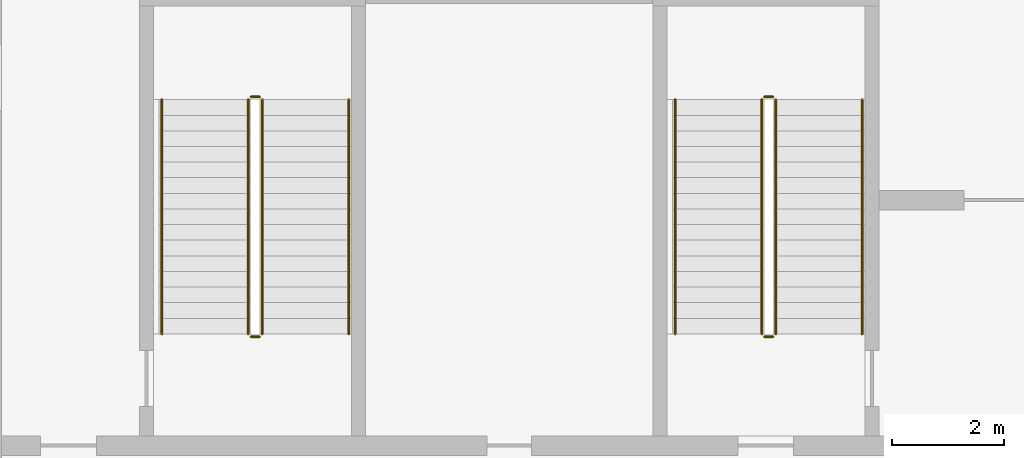
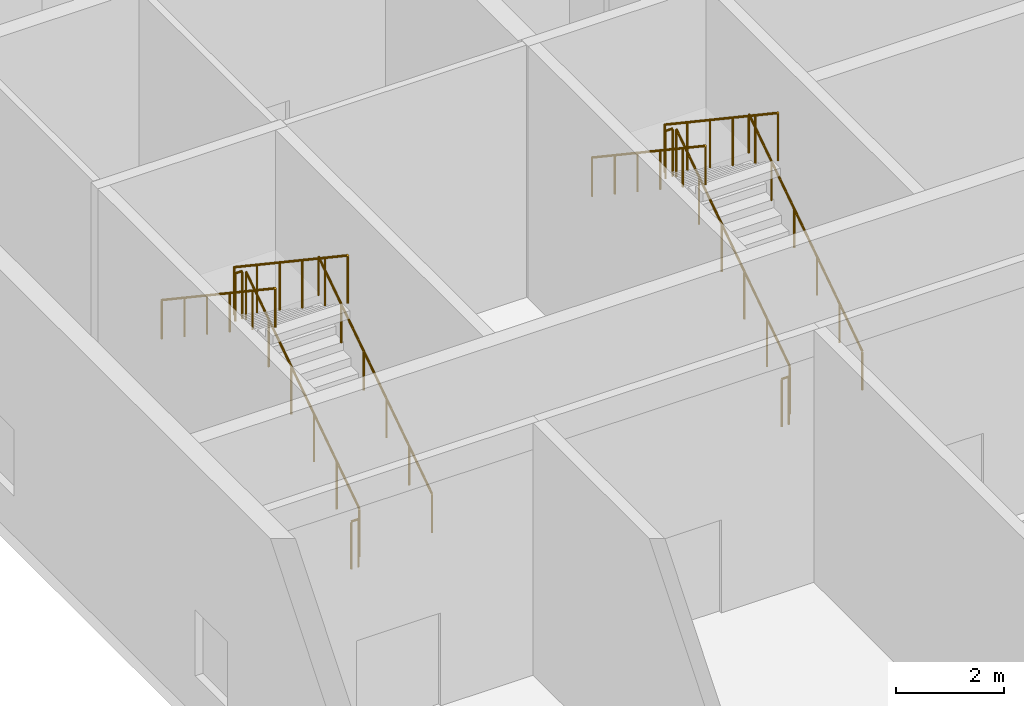
# One storey, part 16 of 17: 12 railings.
"""IFC4 building model written with IfcOpenShell, lengths in metres."""

import ifcopenshell
import ifcopenshell.guid

model = None  # the IFC model being written
_history = None  # IfcOwnerHistory: only IFC2X3 demands one
_inside = {}  # id of a spatial element -> (the spatial element, [elements in it])
_under = {}  # id of a project, library or spatial element -> (it, [spatial elements below it])
_declared = {}  # id of a project -> (the project, [libraries it declares])
_typed = {}  # id of a type object -> (the type object, [elements of that type])
_made_of = {}  # id of a material, layer set ... -> (it, [elements and type objects made of it])


def new_model(schema):
    """Start an empty IFC model of exactly this schema.

    Asked for "IFC4X3", IfcOpenShell would pick the latest addendum, in which some entities
    have other attributes; the version numbers below select the first issue.
    IFC2X3 requires an IfcOwnerHistory on every rooted entity: one is made here for all.
    """
    global model, _history
    if schema == "IFC4X3":
        model = ifcopenshell.file(schema_version=(4, 3, 0, 0))
    else:
        model = ifcopenshell.file(schema=schema)
    _inside.clear()
    _under.clear()
    _declared.clear()
    _typed.clear()
    _made_of.clear()
    _history = None
    if model.schema == "IFC2X3":
        org = make("IfcOrganization", Name="unknown")
        user = make(
            "IfcPersonAndOrganization",
            ThePerson=make("IfcPerson", FamilyName="unknown"),
            TheOrganization=org,
        )
        app = make(
            "IfcApplication",
            ApplicationDeveloper=org,
            Version="unknown",
            ApplicationFullName="unknown",
            ApplicationIdentifier="unknown",
        )
        _history = make(
            "IfcOwnerHistory",
            OwningUser=user,
            OwningApplication=app,
            ChangeAction="ADDED",
            CreationDate=0,
        )
    return model


def make(cls, **values):
    """One entity of the class cls with the attributes given. An attribute that is None is left unset."""
    return model.create_entity(
        cls, **{name: value for name, value in values.items() if value is not None}
    )


def rooted(cls, **values):
    """An entity with a GlobalId (a new one), such as an element, a storey or a relation."""
    return make(cls, GlobalId=ifcopenshell.guid.new(), OwnerHistory=_history, **values)


def si_unit(unit_type, name, prefix=None):
    """IfcSIUnit, for example si_unit("LENGTHUNIT", "METRE", prefix="MILLI")."""
    return make("IfcSIUnit", UnitType=unit_type, Prefix=prefix, Name=name)


def assignment(units):
    """IfcUnitAssignment: the units of a project."""
    return None if units is None else make("IfcUnitAssignment", Units=units)


def point(xyz):
    """IfcCartesianPoint."""
    return None if xyz is None else make("IfcCartesianPoint", Coordinates=xyz)


def direction(xyz):
    """IfcDirection."""
    return None if xyz is None else make("IfcDirection", DirectionRatios=xyz)


def frame(location, z_axis=None, x_axis=None):
    """IfcAxis2Placement3D, a coordinate frame: its origin and axes. An axis left out is left unset."""
    return make(
        "IfcAxis2Placement3D",
        Location=point(location),
        Axis=direction(z_axis),
        RefDirection=direction(x_axis),
    )


def frame_2d(location, x_axis=None):
    """IfcAxis2Placement2D, a coordinate frame in the plane: its origin and x axis."""
    return make(
        "IfcAxis2Placement2D", Location=point(location), RefDirection=direction(x_axis)
    )


def origin():
    """The frame at (0, 0, 0) with its axes left unset."""
    return frame((0.0, 0.0, 0.0))


def origin_2d():
    """The frame at (0, 0) in the plane with its x axis left unset."""
    return frame_2d((0.0, 0.0))


def place(relative_to, where):
    """IfcLocalPlacement: puts the frame where relative to a parent placement (None: the world)."""
    return make(
        "IfcLocalPlacement", PlacementRelTo=relative_to, RelativePlacement=where
    )


def context(
    kind, dimensions, precision=None, world=None, true_north=None, identifier=None
):
    """IfcGeometricRepresentationContext, for example the 3D "Model" context."""
    return make(
        "IfcGeometricRepresentationContext",
        ContextIdentifier=identifier,
        ContextType=kind,
        CoordinateSpaceDimension=dimensions,
        Precision=precision,
        WorldCoordinateSystem=world,
        TrueNorth=true_north,
    )


def subcontext(parent, identifier, kind, view, scale=None):
    """IfcGeometricRepresentationSubContext, for example "Body" below "Model"."""
    return make(
        "IfcGeometricRepresentationSubContext",
        ContextIdentifier=identifier,
        ContextType=kind,
        ParentContext=parent,
        TargetScale=scale,
        TargetView=view,
    )


def project(units=None, contexts=None):
    """IfcProject with its units and contexts."""
    return rooted(
        "IfcProject",
        Name="project",
        RepresentationContexts=contexts,
        UnitsInContext=assignment(units),
    )


def spatial(cls, under=None, at=None, **own):
    """A site, building, storey or space (cls), placed at a placement, below another one or the project."""
    s = rooted(cls, ObjectPlacement=at, **own)
    if under is not None:
        _under.setdefault(under.id(), (under, []))[1].append(s)
    return s


def profile(cls, at=None, kind="AREA", **sizes):
    """A parametric profile (cls). Its sizes go by their IFC names, for example OverallWidth=200.0."""
    return make(cls, ProfileType=kind, Position=at, **sizes)


def circle(**sizes):
    """IfcCircleProfileDef."""
    return profile("IfcCircleProfileDef", **sizes)


def extrude(swept, where, along, depth):
    """IfcExtrudedAreaSolid: the profile swept, set in the frame where, extruded along a direction by depth."""
    return make(
        "IfcExtrudedAreaSolid",
        SweptArea=swept,
        Position=where,
        ExtrudedDirection=direction(along),
        Depth=depth,
    )


def shape(context_of_items, identifier, shape_type, items):
    """IfcShapeRepresentation: the items that make up one representation, for example the "Body"."""
    return make(
        "IfcShapeRepresentation",
        ContextOfItems=context_of_items,
        RepresentationIdentifier=identifier,
        RepresentationType=shape_type,
        Items=items,
    )


def material(Name=None, Category=None):
    """IfcMaterial."""
    return make("IfcMaterial", Name=Name, Category=Category)


def made_of(thing, what):
    """Note that an element or type object is made of a material, layer set ...; save() writes the relation."""
    if what is not None:
        _made_of.setdefault(what.id(), (what, []))[1].append(thing)
    return thing


def type_object(cls, material=None, **own):
    """A type object (cls), such as IfcWallType, which elements share."""
    return made_of(rooted(cls, **own), material)


def element(
    cls,
    number,
    at=None,
    inside=None,
    cuts=None,
    type_object=None,
    material=None,
    context=None,
    identifier="Body",
    shape_type=None,
    held_by="IfcProductDefinitionShape",
    body=None,
    shapes=None,
    **own,
):
    """One element of the class cls, such as IfcWall. Its Tag is "e" and its number.

    at: its placement. inside: the storey or other place that contains it. cuts: it is an
    opening in that element (IfcRelVoidsElement). A single representation is given by context,
    identifier, shape_type and body (its items); several are given by shapes. held_by: the class
    of the entity that holds the representations. save() writes the other relations.
    """
    e = rooted(cls, Tag="e%d" % number, ObjectPlacement=at, **own)
    if body is not None:
        shapes = [shape(context, identifier, shape_type, body)]
    if shapes is not None:
        e.Representation = make(held_by, Representations=shapes)
    if inside is not None:
        _inside.setdefault(inside.id(), (inside, []))[1].append(e)
    if cuts is not None:
        rooted(
            "IfcRelVoidsElement", RelatingBuildingElement=cuts, RelatedOpeningElement=e
        )
    if type_object is not None:
        _typed.setdefault(type_object.id(), (type_object, []))[1].append(e)
    return made_of(e, material)


def aggregate(whole, parts):
    """IfcRelAggregates: a whole, such as a stair, and the parts it consists of."""
    return rooted("IfcRelAggregates", RelatingObject=whole, RelatedObjects=parts)


def save(model, path):
    """Write the relations noted so far, then the file.

    IfcRelAggregates (storeys below a building ...), IfcRelContainedInSpatialStructure (elements
    in a storey), IfcRelDefinesByType, IfcRelAssociatesMaterial and IfcRelDeclares: one each for
    every whole, place, type object, material and project.
    """
    for whole, parts in _under.values():
        aggregate(whole, parts)
    for where, things in _inside.values():
        rooted(
            "IfcRelContainedInSpatialStructure",
            RelatedElements=things,
            RelatingStructure=where,
        )
    for kind, things in _typed.values():
        rooted("IfcRelDefinesByType", RelatedObjects=things, RelatingType=kind)
    for what, things in _made_of.values():
        rooted("IfcRelAssociatesMaterial", RelatedObjects=things, RelatingMaterial=what)
    for by, libraries in _declared.values():
        rooted("IfcRelDeclares", RelatingContext=by, RelatedDefinitions=libraries)
    model.write(path)


model = new_model("IFC4")

# Units and contexts
model_context = context("Model", 3, precision=1e-05, world=origin(), true_north=direction((0.0, 1.0)))
body_context = subcontext(model_context, "Body", "Model", "MODEL_VIEW")
ifc_project = project(units=[si_unit("LENGTHUNIT", "METRE"), si_unit("AREAUNIT", "SQUARE_METRE"), si_unit("VOLUMEUNIT", "CUBIC_METRE"), si_unit("PLANEANGLEUNIT", "RADIAN"), si_unit("MASSUNIT", "GRAM", prefix="KILO")], contexts=[model_context])

# Site, building, storey
site_placement = place(None, origin())
site = spatial("IfcSite", under=ifc_project, at=site_placement, CompositionType="ELEMENT")
building_placement = place(site_placement, origin())
building = spatial("IfcBuilding", under=site, at=building_placement, Name="Poui Terraces", CompositionType="ELEMENT")
storey_placement = place(building_placement, frame((0.0, 0.0, 261.0)))
storey = spatial("IfcBuildingStorey", under=building, at=storey_placement, Name="L73", CompositionType="ELEMENT", Elevation=261.0)

# Railings
ifc_material_1 = material(Name="Galvanised steel balustrade", Category="steel")
railing_type_1 = type_object("IfcRailingType", Name="STAIR GUARD 1100", PredefinedType="GUARDRAIL", material=ifc_material_1)
railing_1_placement = place(storey_placement, frame((32.074951171875, 16.60009765625, 0.1875)))
element("IfcRailing", 1, at=railing_1_placement, inside=storey, type_object=railing_type_1, Name="L73 ST-CW stair guard 1", PredefinedType="GUARDRAIL", context=body_context, shape_type="SweptSolid", body=[
    extrude(circle(Radius=0.02392578125, at=origin_2d()), frame((0.0, 0.0, 1.076171875), z_axis=(0.0, 0.830904186295, 0.556415522067), x_axis=(-1.0, 0.0, 0.0)), (0.0, 0.0, 1.0), 5.0546875),
    extrude(circle(Radius=0.02099609375, at=origin_2d()), origin(), (0.0, 0.0, 1.0), 1.052001953125),
    extrude(circle(Radius=0.02099609375, at=origin_2d()), frame((0.0, 0.840087890625, 0.5625)), (0.0, 0.0, 1.0), 1.052001953125),
    extrude(circle(Radius=0.02099609375, at=origin_2d()), frame((0.0, 1.679931640625, 1.125)), (0.0, 0.0, 1.0), 1.052001953125),
    extrude(circle(Radius=0.02099609375, at=origin_2d()), frame((0.0, 2.52001953125, 1.6875)), (0.0, 0.0, 1.0), 1.052001953125),
    extrude(circle(Radius=0.02099609375, at=origin_2d()), frame((0.0, 3.35986328125, 2.25)), (0.0, 0.0, 1.0), 1.052001953125),
    extrude(circle(Radius=0.02099609375, at=origin_2d()), frame((0.0, 4.199951171875, 2.8125)), (0.0, 0.0, 1.0), 1.052001953125),
])
railing_2_placement = place(storey_placement, frame((32.02490234375, 20.85009765625, 3.0)))
element("IfcRailing", 2, at=railing_2_placement, inside=storey, type_object=railing_type_1, Name="L73 ST-CW stair guard 2", PredefinedType="GUARDRAIL", context=body_context, shape_type="SweptSolid", body=[
    extrude(circle(Radius=0.02392578125, at=origin_2d()), frame((0.0, 0.0, 1.076171875), z_axis=(-1.0, 0.0, 0.0), x_axis=(0.0, -1.0, 0.0)), (0.0, 0.0, 1.0), 0.14990234375),
    extrude(circle(Radius=0.02099609375, at=origin_2d()), origin(), (0.0, 0.0, 1.0), 1.052001953125),
    extrude(circle(Radius=0.02099609375, at=origin_2d()), frame((-0.14990234375, 0.0, 0.0)), (0.0, 0.0, 1.0), 1.052001953125),
])
railing_3_placement = place(storey_placement, frame((31.824951171875, 20.800048828125, 3.1875)))
element("IfcRailing", 3, at=railing_3_placement, inside=storey, type_object=railing_type_1, Name="L73 ST-CW stair guard 3", PredefinedType="GUARDRAIL", context=body_context, shape_type="SweptSolid", body=[
    extrude(circle(Radius=0.02392578125, at=origin_2d()), frame((0.0, 0.0, 1.076171875), z_axis=(0.0, -0.830904186295, 0.556415522067), x_axis=(1.0, 0.0, 0.0)), (0.0, 0.0, 1.0), 5.0546875),
    extrude(circle(Radius=0.02099609375, at=origin_2d()), origin(), (0.0, 0.0, 1.0), 1.052001953125),
    extrude(circle(Radius=0.02099609375, at=origin_2d()), frame((0.0, -0.840087890625, 0.5625)), (0.0, 0.0, 1.0), 1.052001953125),
    extrude(circle(Radius=0.02099609375, at=origin_2d()), frame((0.0, -1.679931640625, 1.125)), (0.0, 0.0, 1.0), 1.052001953125),
    extrude(circle(Radius=0.02099609375, at=origin_2d()), frame((0.0, -2.52001953125, 1.6875)), (0.0, 0.0, 1.0), 1.052001953125),
    extrude(circle(Radius=0.02099609375, at=origin_2d()), frame((0.0, -3.35986328125, 2.25)), (0.0, 0.0, 1.0), 1.052001953125),
    extrude(circle(Radius=0.02099609375, at=origin_2d()), frame((0.0, -4.199951171875, 2.8125)), (0.0, 0.0, 1.0), 1.052001953125),
])
railing_4_placement = place(storey_placement, frame((32.02490234375, 16.550048828125, 0.0)))
element("IfcRailing", 4, at=railing_4_placement, inside=storey, type_object=railing_type_1, Name="L73 ST-CW stair guard 4", PredefinedType="GUARDRAIL", context=body_context, shape_type="SweptSolid", body=[
    extrude(circle(Radius=0.02392578125, at=origin_2d()), frame((0.0, 0.0, 1.076171875), z_axis=(-1.0, 0.0, 0.0), x_axis=(0.0, -1.0, 0.0)), (0.0, 0.0, 1.0), 0.14990234375),
    extrude(circle(Radius=0.02099609375, at=origin_2d()), origin(), (0.0, 0.0, 1.0), 1.052001953125),
    extrude(circle(Radius=0.02099609375, at=origin_2d()), frame((-0.14990234375, 0.0, 0.0)), (0.0, 0.0, 1.0), 1.052001953125),
])
railing_5_placement = place(storey_placement, frame((22.875, 16.60009765625, 0.1875)))
element("IfcRailing", 5, at=railing_5_placement, inside=storey, type_object=railing_type_1, Name="L73 ST-W stair guard 1", PredefinedType="GUARDRAIL", context=body_context, shape_type="SweptSolid", body=[
    extrude(circle(Radius=0.02392578125, at=origin_2d()), frame((0.0, 0.0, 1.076171875), z_axis=(0.0, 0.830904186295, 0.556415522067), x_axis=(-1.0, 0.0, 0.0)), (0.0, 0.0, 1.0), 5.0546875),
    extrude(circle(Radius=0.02099609375, at=origin_2d()), origin(), (0.0, 0.0, 1.0), 1.052001953125),
    extrude(circle(Radius=0.02099609375, at=origin_2d()), frame((0.0, 0.840087890625, 0.5625)), (0.0, 0.0, 1.0), 1.052001953125),
    extrude(circle(Radius=0.02099609375, at=origin_2d()), frame((0.0, 1.679931640625, 1.125)), (0.0, 0.0, 1.0), 1.052001953125),
    extrude(circle(Radius=0.02099609375, at=origin_2d()), frame((0.0, 2.52001953125, 1.6875)), (0.0, 0.0, 1.0), 1.052001953125),
    extrude(circle(Radius=0.02099609375, at=origin_2d()), frame((0.0, 3.35986328125, 2.25)), (0.0, 0.0, 1.0), 1.052001953125),
    extrude(circle(Radius=0.02099609375, at=origin_2d()), frame((0.0, 4.199951171875, 2.8125)), (0.0, 0.0, 1.0), 1.052001953125),
])
railing_6_placement = place(storey_placement, frame((22.824951171875, 20.85009765625, 3.0)))
element("IfcRailing", 6, at=railing_6_placement, inside=storey, type_object=railing_type_1, Name="L73 ST-W stair guard 2", PredefinedType="GUARDRAIL", context=body_context, shape_type="SweptSolid", body=[
    extrude(circle(Radius=0.02392578125, at=origin_2d()), frame((0.0, 0.0, 1.076171875), z_axis=(-1.0, 0.0, 0.0), x_axis=(0.0, -1.0, 0.0)), (0.0, 0.0, 1.0), 0.14990234375),
    extrude(circle(Radius=0.02099609375, at=origin_2d()), origin(), (0.0, 0.0, 1.0), 1.052001953125),
    extrude(circle(Radius=0.02099609375, at=origin_2d()), frame((-0.14990234375, 0.0, 0.0)), (0.0, 0.0, 1.0), 1.052001953125),
])
railing_7_placement = place(storey_placement, frame((22.625, 20.800048828125, 3.1875)))
element("IfcRailing", 7, at=railing_7_placement, inside=storey, type_object=railing_type_1, Name="L73 ST-W stair guard 3", PredefinedType="GUARDRAIL", context=body_context, shape_type="SweptSolid", body=[
    extrude(circle(Radius=0.02392578125, at=origin_2d()), frame((0.0, 0.0, 1.076171875), z_axis=(0.0, -0.830904186295, 0.556415522067), x_axis=(1.0, 0.0, 0.0)), (0.0, 0.0, 1.0), 5.0546875),
    extrude(circle(Radius=0.02099609375, at=origin_2d()), origin(), (0.0, 0.0, 1.0), 1.052001953125),
    extrude(circle(Radius=0.02099609375, at=origin_2d()), frame((0.0, -0.840087890625, 0.5625)), (0.0, 0.0, 1.0), 1.052001953125),
    extrude(circle(Radius=0.02099609375, at=origin_2d()), frame((0.0, -1.679931640625, 1.125)), (0.0, 0.0, 1.0), 1.052001953125),
    extrude(circle(Radius=0.02099609375, at=origin_2d()), frame((0.0, -2.52001953125, 1.6875)), (0.0, 0.0, 1.0), 1.052001953125),
    extrude(circle(Radius=0.02099609375, at=origin_2d()), frame((0.0, -3.35986328125, 2.25)), (0.0, 0.0, 1.0), 1.052001953125),
    extrude(circle(Radius=0.02099609375, at=origin_2d()), frame((0.0, -4.199951171875, 2.8125)), (0.0, 0.0, 1.0), 1.052001953125),
])
railing_8_placement = place(storey_placement, frame((22.824951171875, 16.550048828125, 0.0)))
element("IfcRailing", 8, at=railing_8_placement, inside=storey, type_object=railing_type_1, Name="L73 ST-W stair guard 4", PredefinedType="GUARDRAIL", context=body_context, shape_type="SweptSolid", body=[
    extrude(circle(Radius=0.02392578125, at=origin_2d()), frame((0.0, 0.0, 1.076171875), z_axis=(-1.0, 0.0, 0.0), x_axis=(0.0, -1.0, 0.0)), (0.0, 0.0, 1.0), 0.14990234375),
    extrude(circle(Radius=0.02099609375, at=origin_2d()), origin(), (0.0, 0.0, 1.0), 1.052001953125),
    extrude(circle(Radius=0.02099609375, at=origin_2d()), frame((-0.14990234375, 0.0, 0.0)), (0.0, 0.0, 1.0), 1.052001953125),
])
ifc_material_2 = material(Name="Stainless steel handrail", Category="steel")
railing_type_2 = type_object("IfcRailingType", Name="STAIR HANDRAIL 900", PredefinedType="HANDRAIL", material=ifc_material_2)
railing_9_placement = place(storey_placement, frame((33.625, 16.60009765625, 0.1875)))
element("IfcRailing", 9, at=railing_9_placement, inside=storey, type_object=railing_type_2, Name="L73 ST-CW stair handrail 1", PredefinedType="HANDRAIL", context=body_context, shape_type="SweptSolid", body=[
    extrude(circle(Radius=0.02392578125, at=origin_2d()), frame((0.0, 0.0, 0.8759765625), z_axis=(0.0, 0.830904186295, 0.556415522067), x_axis=(-1.0, 0.0, 0.0)), (0.0, 0.0, 1.0), 5.0546875),
    extrude(circle(Radius=0.02099609375, at=origin_2d()), origin(), (0.0, 0.0, 1.0), 0.851806640625),
    extrude(circle(Radius=0.02099609375, at=origin_2d()), frame((0.0, 0.840087890625, 0.5625)), (0.0, 0.0, 1.0), 0.851806640625),
    extrude(circle(Radius=0.02099609375, at=origin_2d()), frame((0.0, 1.679931640625, 1.125)), (0.0, 0.0, 1.0), 0.851806640625),
    extrude(circle(Radius=0.02099609375, at=origin_2d()), frame((0.0, 2.52001953125, 1.6875)), (0.0, 0.0, 1.0), 0.851806640625),
    extrude(circle(Radius=0.02099609375, at=origin_2d()), frame((0.0, 3.35986328125, 2.25)), (0.0, 0.0, 1.0), 0.851806640625),
    extrude(circle(Radius=0.02099609375, at=origin_2d()), frame((0.0, 4.199951171875, 2.8125)), (0.0, 0.0, 1.0), 0.851806640625),
])
railing_10_placement = place(storey_placement, frame((30.27490234375, 20.800048828125, 3.1875)))
element("IfcRailing", 10, at=railing_10_placement, inside=storey, type_object=railing_type_2, Name="L73 ST-CW stair handrail 2", PredefinedType="HANDRAIL", context=body_context, shape_type="SweptSolid", body=[
    extrude(circle(Radius=0.02392578125, at=origin_2d()), frame((0.0, 0.0, 0.8759765625), z_axis=(0.0, -0.830904186295, 0.556415522067), x_axis=(1.0, 0.0, 0.0)), (0.0, 0.0, 1.0), 5.0546875),
    extrude(circle(Radius=0.02099609375, at=origin_2d()), origin(), (0.0, 0.0, 1.0), 0.851806640625),
    extrude(circle(Radius=0.02099609375, at=origin_2d()), frame((0.0, -0.840087890625, 0.5625)), (0.0, 0.0, 1.0), 0.851806640625),
    extrude(circle(Radius=0.02099609375, at=origin_2d()), frame((0.0, -1.679931640625, 1.125)), (0.0, 0.0, 1.0), 0.851806640625),
    extrude(circle(Radius=0.02099609375, at=origin_2d()), frame((0.0, -2.52001953125, 1.6875)), (0.0, 0.0, 1.0), 0.851806640625),
    extrude(circle(Radius=0.02099609375, at=origin_2d()), frame((0.0, -3.35986328125, 2.25)), (0.0, 0.0, 1.0), 0.851806640625),
    extrude(circle(Radius=0.02099609375, at=origin_2d()), frame((0.0, -4.199951171875, 2.8125)), (0.0, 0.0, 1.0), 0.851806640625),
])
railing_11_placement = place(storey_placement, frame((24.425048828125, 16.60009765625, 0.1875)))
element("IfcRailing", 11, at=railing_11_placement, inside=storey, type_object=railing_type_2, Name="L73 ST-W stair handrail 1", PredefinedType="HANDRAIL", context=body_context, shape_type="SweptSolid", body=[
    extrude(circle(Radius=0.02392578125, at=origin_2d()), frame((0.0, 0.0, 0.8759765625), z_axis=(0.0, 0.830904186295, 0.556415522067), x_axis=(-1.0, 0.0, 0.0)), (0.0, 0.0, 1.0), 5.0546875),
    extrude(circle(Radius=0.02099609375, at=origin_2d()), origin(), (0.0, 0.0, 1.0), 0.851806640625),
    extrude(circle(Radius=0.02099609375, at=origin_2d()), frame((0.0, 0.840087890625, 0.5625)), (0.0, 0.0, 1.0), 0.851806640625),
    extrude(circle(Radius=0.02099609375, at=origin_2d()), frame((0.0, 1.679931640625, 1.125)), (0.0, 0.0, 1.0), 0.851806640625),
    extrude(circle(Radius=0.02099609375, at=origin_2d()), frame((0.0, 2.52001953125, 1.6875)), (0.0, 0.0, 1.0), 0.851806640625),
    extrude(circle(Radius=0.02099609375, at=origin_2d()), frame((0.0, 3.35986328125, 2.25)), (0.0, 0.0, 1.0), 0.851806640625),
    extrude(circle(Radius=0.02099609375, at=origin_2d()), frame((0.0, 4.199951171875, 2.8125)), (0.0, 0.0, 1.0), 0.851806640625),
])
railing_12_placement = place(storey_placement, frame((21.074951171875, 20.800048828125, 3.1875)))
element("IfcRailing", 12, at=railing_12_placement, inside=storey, type_object=railing_type_2, Name="L73 ST-W stair handrail 2", PredefinedType="HANDRAIL", context=body_context, shape_type="SweptSolid", body=[
    extrude(circle(Radius=0.02392578125, at=origin_2d()), frame((0.0, 0.0, 0.8759765625), z_axis=(0.0, -0.830904186295, 0.556415522067), x_axis=(1.0, 0.0, 0.0)), (0.0, 0.0, 1.0), 5.0546875),
    extrude(circle(Radius=0.02099609375, at=origin_2d()), origin(), (0.0, 0.0, 1.0), 0.851806640625),
    extrude(circle(Radius=0.02099609375, at=origin_2d()), frame((0.0, -0.840087890625, 0.5625)), (0.0, 0.0, 1.0), 0.851806640625),
    extrude(circle(Radius=0.02099609375, at=origin_2d()), frame((0.0, -1.679931640625, 1.125)), (0.0, 0.0, 1.0), 0.851806640625),
    extrude(circle(Radius=0.02099609375, at=origin_2d()), frame((0.0, -2.52001953125, 1.6875)), (0.0, 0.0, 1.0), 0.851806640625),
    extrude(circle(Radius=0.02099609375, at=origin_2d()), frame((0.0, -3.35986328125, 2.25)), (0.0, 0.0, 1.0), 0.851806640625),
    extrude(circle(Radius=0.02099609375, at=origin_2d()), frame((0.0, -4.199951171875, 2.8125)), (0.0, 0.0, 1.0), 0.851806640625),
])

save(model, "model.ifc")
